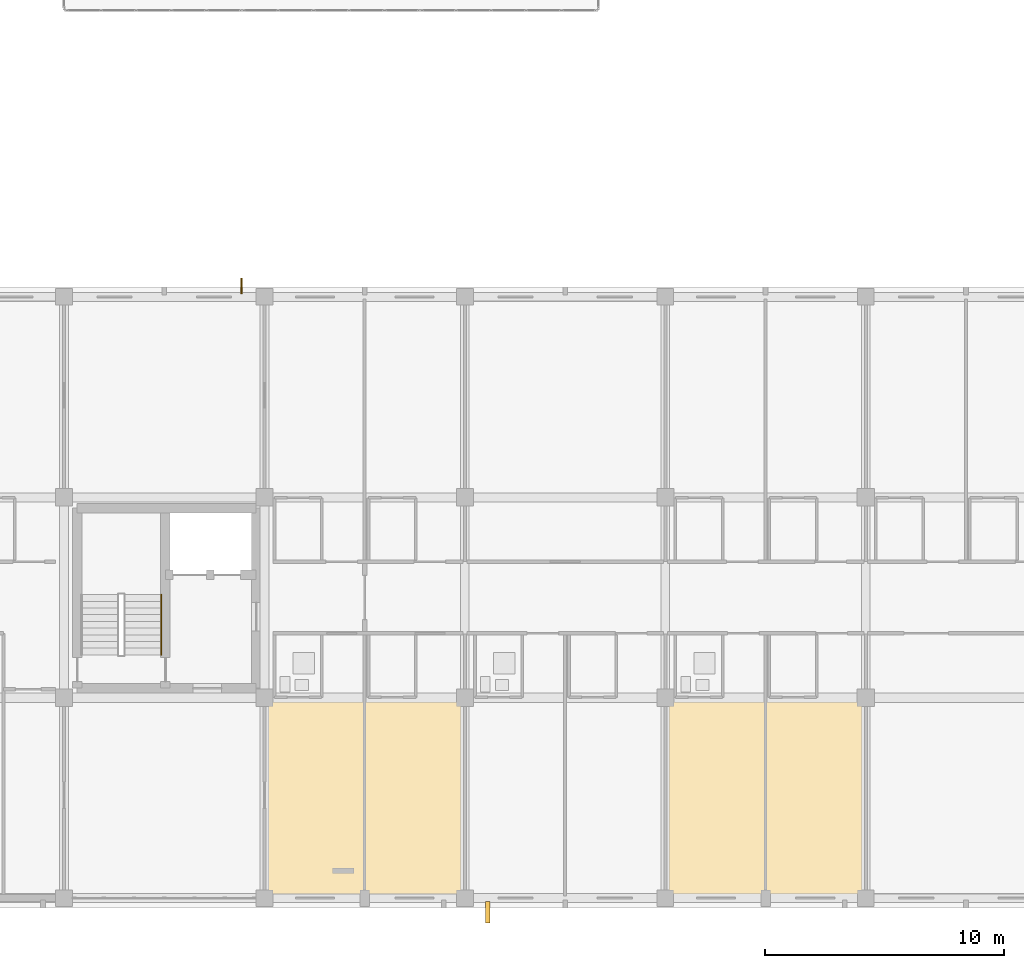
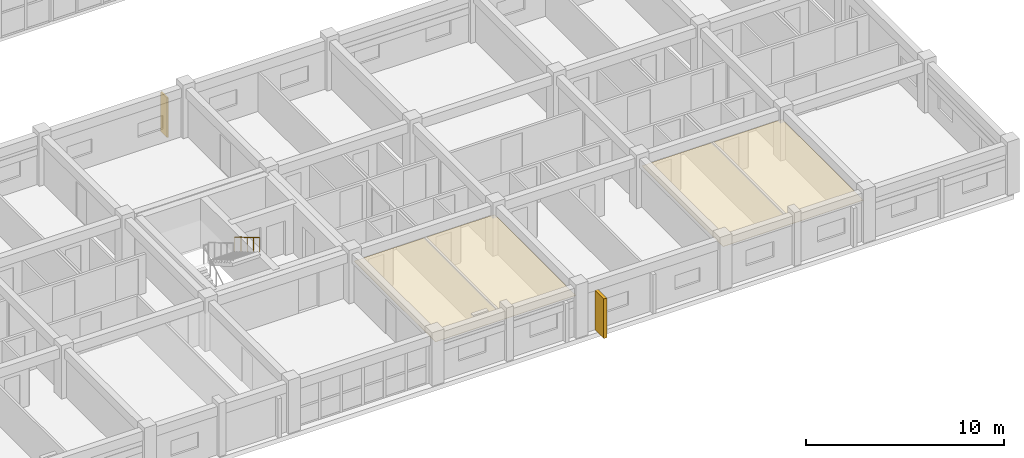
# One storey, part 140 of 148: 2 coverings, 2 shading devices, 1 railing.
"""IFC4 building model written with IfcOpenShell, lengths in metres."""

from ifc_helpers import new_model, si_unit, direction, frame, origin, origin_2d, place, context, subcontext, project, spatial, polyline, rectangle, circle, outline, extrude, material, layer, layer_set, type_object, element, save


model = new_model("IFC4")

# Units and contexts
model_context = context("Model", 3, precision=1e-05, world=origin(), true_north=direction((0.0, 1.0)))
body_context = subcontext(model_context, "Body", "Model", "MODEL_VIEW")
ifc_project = project(units=[si_unit("LENGTHUNIT", "METRE"), si_unit("AREAUNIT", "SQUARE_METRE"), si_unit("VOLUMEUNIT", "CUBIC_METRE"), si_unit("PLANEANGLEUNIT", "RADIAN"), si_unit("MASSUNIT", "GRAM", prefix="KILO")], contexts=[model_context])

# Site, building, storey
site_placement = place(None, origin())
site = spatial("IfcSite", under=ifc_project, at=site_placement, CompositionType="ELEMENT")
building_placement = place(site_placement, origin())
building = spatial("IfcBuilding", under=site, at=building_placement, Name="Trelvath General Hospital", CompositionType="ELEMENT")
storey_placement = place(building_placement, frame((0.0, 0.0, 12.89990234375)))
storey = spatial("IfcBuildingStorey", under=building, at=storey_placement, Name="L03", CompositionType="ELEMENT", Elevation=12.89990234375)

# Shading device
ifc_material_1 = material(Name="Precast concrete C40/50", Category="concrete")
shading_device_type_1 = type_object("IfcShadingDeviceType", Name="BriseSoleil PrecastFin900", PredefinedType="JALOUSIE", material=ifc_material_1)
shading_device_1_placement = place(storey_placement, frame((110.161865234375, -0.590087890625, 0.000244140625), z_axis=(0.0, 0.0, 1.0), x_axis=(0.0, -1.0, 0.0)))
element("IfcShadingDevice", 1, at=shading_device_1_placement, inside=storey, type_object=shading_device_type_1, Name="Solar Brise-Soleil Screen L03-66", PredefinedType="JALOUSIE", context=body_context, shape_type="SweptSolid", body=[
    extrude(rectangle(XDim=0.89990234375, YDim=0.179931640625, at=origin_2d()), origin(), (0.0, 0.0, 1.0), 2.43994140625),
])

# Coverings
ifc_material_2 = material(Name="Hygienic acoustic ceiling tile")
ifc_layer = layer(ifc_material_2, 0.02490234375)
ifc_layer_set = layer_set([ifc_layer], Name="Hygienic acoustic ceiling tile")
covering_type = type_object("IfcCoveringType", Name="Ceiling ClinicalAcoustic", PredefinedType="CEILING", material=ifc_layer_set)
covering_1_placement = place(storey_placement, frame((0.0, 0.0, 2.300048828125)))
element("IfcCovering", 2, at=covering_1_placement, inside=storey, type_object=covering_type, Name="Clinical Acoustic Ceiling L03-42", PredefinedType="CEILING", context=body_context, shape_type="SweptSolid", body=[
    extrude(outline(polyline([(100.89990234375, 0.10009765625), (109.10009765625, 0.10009765625), (109.10009765625, 8.320068359375), (100.89990234375, 8.320068359375), (100.89990234375, 0.10009765625)])), origin(), (0.0, 0.0, 1.0), 0.025146484375),
])
covering_2_placement = place(storey_placement, frame((0.0, 0.0, 2.300048828125)))
element("IfcCovering", 3, at=covering_2_placement, inside=storey, type_object=covering_type, Name="Clinical Acoustic Ceiling L03-43", PredefinedType="CEILING", context=body_context, shape_type="SweptSolid", body=[
    extrude(outline(polyline([(117.699951171875, 0.10009765625), (125.89990234375, 0.10009765625), (125.89990234375, 8.320068359375), (117.699951171875, 8.320068359375), (117.699951171875, 0.10009765625)])), origin(), (0.0, 0.0, 1.0), 0.025146484375),
])

# Railing
ifc_material_3 = material(Name="Brushed stainless steel", Category="steel")
railing_type = type_object("IfcRailingType", Name="Handrail Stair900", PredefinedType="HANDRAIL", material=ifc_material_3)
railing_placement = place(storey_placement, frame((96.469970703125, 12.719970703125, 1.815185546875)))
element("IfcRailing", 4, at=railing_placement, inside=storey, type_object=railing_type, Name="Stair Rail ST5 L03 F2 R 178", PredefinedType="HANDRAIL", context=body_context, shape_type="SweptSolid", body=[
    extrude(circle(Radius=0.02392578125, at=origin_2d()), frame((0.0, 0.0, 0.8759765625), z_axis=(0.0, -0.861560626758, 0.507654692109), x_axis=(1.0, 0.0, 0.0)), (0.0, 0.0, 1.0), 2.925048828125),
    extrude(circle(Radius=0.02099609375, at=origin_2d()), origin(), (0.0, 0.0, 1.0), 0.849853515625),
    extrude(circle(Radius=0.02099609375, at=origin_2d()), frame((0.0, -0.6298828125, 0.37109375)), (0.0, 0.0, 1.0), 0.849853515625),
    extrude(circle(Radius=0.02099609375, at=origin_2d()), frame((0.0, -1.260009765625, 0.742431640625)), (0.0, 0.0, 1.0), 0.849853515625),
    extrude(circle(Radius=0.02099609375, at=origin_2d()), frame((0.0, -1.89013671875, 1.11376953125)), (0.0, 0.0, 1.0), 0.849853515625),
    extrude(circle(Radius=0.02099609375, at=origin_2d()), frame((0.0, -2.52001953125, 1.48486328125)), (0.0, 0.0, 1.0), 0.849853515625),
])

# Shading device
ifc_material_4 = material(Name="Anodised aluminium", Category="aluminium")
shading_device_type_2 = type_object("IfcShadingDeviceType", Name="SolarScreen PerforatedAlu", PredefinedType="JALOUSIE", material=ifc_material_4)
shading_device_2_placement = place(storey_placement, frame((99.838134765625, 25.6650390625, 0.000244140625), z_axis=(0.0, 0.0, 1.0), x_axis=(0.0, 1.0, 0.0)))
element("IfcShadingDevice", 5, at=shading_device_2_placement, inside=storey, type_object=shading_device_type_2, Name="Solar Brise-Soleil Screen L03-65", PredefinedType="JALOUSIE", context=body_context, shape_type="SweptSolid", body=[
    extrude(rectangle(XDim=0.64990234375, YDim=0.080078125, at=origin_2d()), origin(), (0.0, 0.0, 1.0), 2.43994140625),
])

save(model, "model.ifc")
